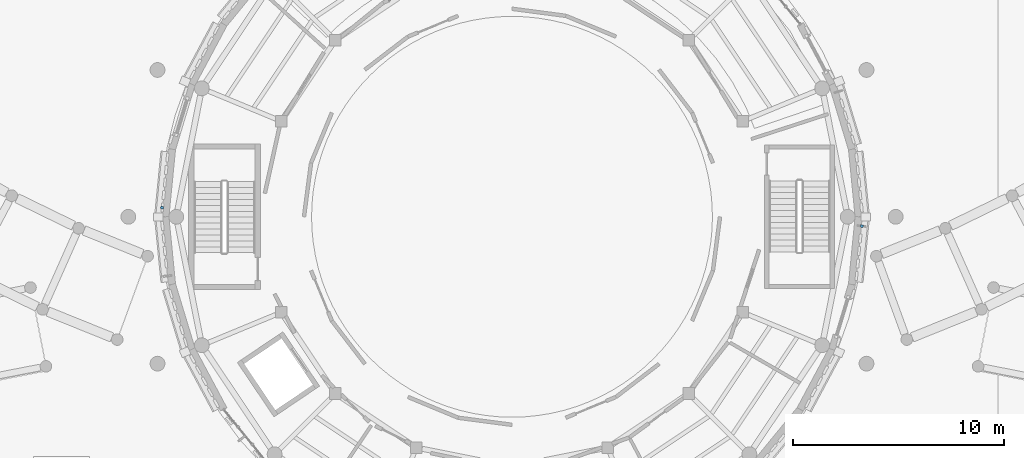
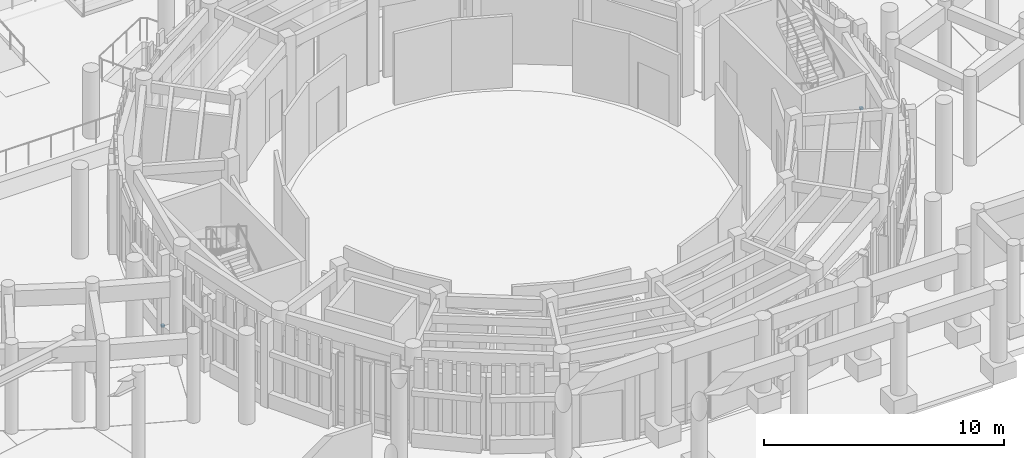
# One storey, part 61 of 94: 2 discrete accessories.
"""IFC4 building model written with IfcOpenShell, lengths in metres."""

from ifc_helpers import new_model, si_unit, direction, frame, origin, origin_2d, place, context, subcontext, project, spatial, rectangle, extrude, material, type_object, element, save


model = new_model("IFC4")

# Units and contexts
model_context = context("Model", 3, precision=1e-05, world=origin(), true_north=direction((0.0, 1.0)))
body_context = subcontext(model_context, "Body", "Model", "MODEL_VIEW")
ifc_project = project(units=[si_unit("LENGTHUNIT", "METRE"), si_unit("AREAUNIT", "SQUARE_METRE"), si_unit("VOLUMEUNIT", "CUBIC_METRE"), si_unit("PLANEANGLEUNIT", "RADIAN"), si_unit("MASSUNIT", "GRAM", prefix="KILO")], contexts=[model_context])

# Site, building, storey
site_placement = place(None, origin())
site = spatial("IfcSite", under=ifc_project, at=site_placement, CompositionType="ELEMENT")
building_placement = place(site_placement, origin())
building = spatial("IfcBuilding", under=site, at=building_placement, Name="Aldenvaro Health Centre", CompositionType="ELEMENT")
storey_placement = place(building_placement, origin())
storey = spatial("IfcBuildingStorey", under=building, at=storey_placement, Name="L00", CompositionType="ELEMENT", Elevation=0.0)

# Discrete accessories
ifc_material = material(Name="Stainless Steel AISI 316", Category="steel")
discrete_accessory_type = type_object("IfcDiscreteAccessoryType", Name="ACC-BRK-01", PredefinedType="BRACKET", material=ifc_material)
for number, where, z_axis, x_axis, name in (
    (1, (103.548095703125, 19.56298828125, 0.18994140625), (0.0, 0.0, 1.0), (-0.097994340783, -0.995186971968, 0.0), "D1 L00 stainless fin bracket 1"),
    (2, (70.451904296875, 20.43701171875, 0.18994140625), (0.0, 0.0, 1.0), (0.097994340783, 0.995186971968, 0.0), "D1 L00 stainless fin bracket 17"),
):
    element("IfcDiscreteAccessory", number, at=place(storey_placement, frame(where, z_axis=z_axis, x_axis=x_axis)), inside=storey, type_object=discrete_accessory_type, Name=name, PredefinedType="BRACKET", context=body_context, shape_type="SweptSolid", body=[
        extrude(rectangle(XDim=0.1201171875, YDim=0.139892578125, at=origin_2d()), origin(), (0.0, 0.0, 1.0), 0.1201171875),
    ])

save(model, "model.ifc")
